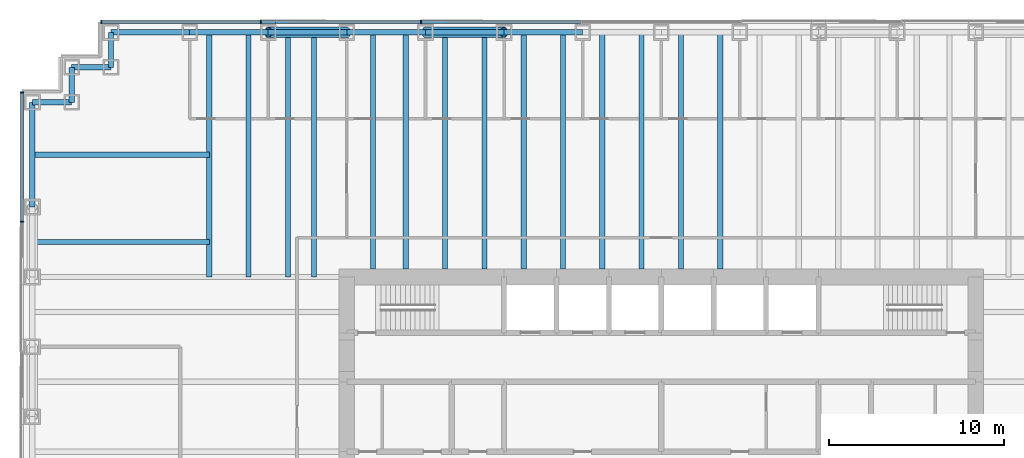
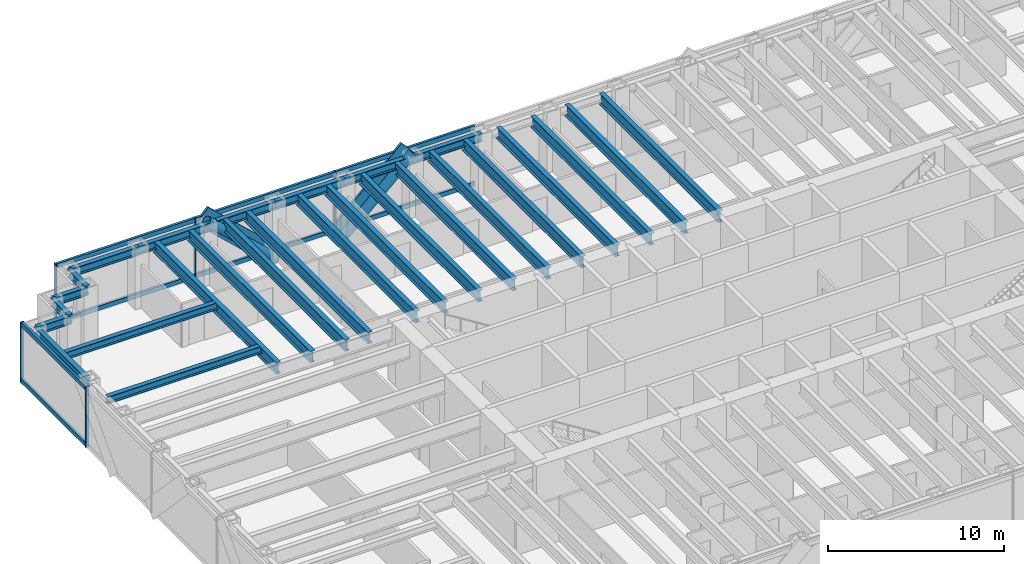
# One storey, part 6 of 16: 27 beams, 17 members, 2 elements without a shape of their own.
"""IFC4 building model written with IfcOpenShell, lengths in metres."""

from ifc_helpers import new_model, si_unit, direction, frame, origin, origin_2d, place, context, subcontext, project, spatial, rectangle, hollow_circle, i_section, extrude, material, material_profile, profile_set, type_object, element, aggregate, save


model = new_model("IFC4")

# Units and contexts
model_context = context("Model", 3, precision=1e-05, world=origin(), true_north=direction((0.0, 1.0)))
body_context = subcontext(model_context, "Body", "Model", "MODEL_VIEW")
ifc_project = project(units=[si_unit("LENGTHUNIT", "METRE"), si_unit("AREAUNIT", "SQUARE_METRE"), si_unit("VOLUMEUNIT", "CUBIC_METRE"), si_unit("PLANEANGLEUNIT", "RADIAN"), si_unit("MASSUNIT", "GRAM", prefix="KILO")], contexts=[model_context])

# Site, building, storey
site_placement = place(None, origin())
site = spatial("IfcSite", under=ifc_project, at=site_placement, CompositionType="ELEMENT")
building_placement = place(site_placement, origin())
building = spatial("IfcBuilding", under=site, at=building_placement, Name="Rheinbord Bourse Tower", CompositionType="ELEMENT")
storey_placement = place(building_placement, frame((0.0, 0.0, 171.89990234375)))
storey = spatial("IfcBuildingStorey", under=building, at=storey_placement, Name="L38", CompositionType="ELEMENT", Elevation=171.89990234375)

# Curtain wall, members
ifc_material_1 = material(Name="Dark glass and black aluminium", Category="aluminium")
curtain_wall_type = type_object("IfcCurtainWallType", Name="CW2 DARK GLASS CURTAIN WALL", PredefinedType="USERDEFINED", material=ifc_material_1)
curtain_wall_1_placement = place(storey_placement, origin())
curtain_wall_1 = element("IfcCurtainWall", 1, at=curtain_wall_1_placement, inside=storey, type_object=curtain_wall_type, Name="Curtain wall CW2 N L38", ObjectType="UNITISED CURTAIN WALL", PredefinedType="USERDEFINED")
ifc_material_2 = material(Name="Black anodised aluminium", Category="aluminium")
ifc_material_profile_1 = material_profile(ifc_material_2, rectangle(XDim=0.159912109375, YDim=1.2099609375, at=origin_2d()), Name="CW2 DIAGONAL MULLION 1210x160")
ifc_profile_set_1 = profile_set([ifc_material_profile_1], Name="Black anodised aluminium")
member_type_1 = type_object("IfcMemberType", Name="CW2 BLACK DIAGONAL MULLION", PredefinedType="USERDEFINED", material=ifc_profile_set_1)
member_1_placement = place(storey_placement, frame((18.0, 46.60009765625, 0.0), z_axis=(-0.731039441158, 0.0, 0.682335207557), x_axis=(0.0, -1.0, 0.0)))
member_1 = element("IfcMember", 2, at=member_1_placement, type_object=member_type_1, Name="CW2 diagonal mullion b", ObjectType="DIAGONAL MULLION", PredefinedType="USERDEFINED", context=body_context, shape_type="SweptSolid", body=[
    extrude(rectangle(XDim=0.159912109375, YDim=1.2099609375, at=origin_2d()), origin(), (0.0, 0.0, 1.0), 6.155517578125),
])
member_2_placement = place(storey_placement, frame((22.5, 46.60009765625, 0.0), z_axis=(0.731039441158, 0.0, 0.682335207557), x_axis=(0.0, 1.0, 0.0)))
member_2 = element("IfcMember", 3, at=member_2_placement, type_object=member_type_1, Name="CW2 diagonal mullion d", ObjectType="DIAGONAL MULLION", PredefinedType="USERDEFINED", context=body_context, shape_type="SweptSolid", body=[
    extrude(rectangle(XDim=0.159912109375, YDim=1.2099609375, at=origin_2d()), origin(), (0.0, 0.0, 1.0), 6.155517578125),
])
ifc_material_3 = material(Name="Black anodised aluminium", Category="aluminium")
ifc_material_profile_2 = material_profile(ifc_material_3, rectangle(XDim=0.219970703125, YDim=0.070068359375, at=origin_2d()), Name="CW2 MULLION 70x220")
ifc_profile_set_2 = profile_set([ifc_material_profile_2], Name="Black anodised aluminium")
member_type_2 = type_object("IfcMemberType", Name="CW2 BLACK MULLION", PredefinedType="MULLION", material=ifc_profile_set_2)
member_3_placement = place(storey_placement, frame((22.242919921875, 46.60009765625, 0.0), z_axis=(0.0, 0.0, 1.0), x_axis=(0.0, -1.0, 0.0)))
member_3 = element("IfcMember", 4, at=member_3_placement, type_object=member_type_2, Name="CW2 mullion 6", PredefinedType="MULLION", context=body_context, shape_type="SweptSolid", body=[
    extrude(rectangle(XDim=0.219970703125, YDim=0.070068359375, at=origin_2d()), origin(), (0.0, 0.0, 1.0), 4.2001953125),
])
member_4_placement = place(storey_placement, frame((13.071533203125, 46.60009765625, 0.0), z_axis=(0.0, 0.0, 1.0), x_axis=(0.0, -1.0, 0.0)))
member_4 = element("IfcMember", 5, at=member_4_placement, type_object=member_type_2, Name="CW2 mullion 7", PredefinedType="MULLION", context=body_context, shape_type="SweptSolid", body=[
    extrude(rectangle(XDim=0.219970703125, YDim=0.070068359375, at=origin_2d()), origin(), (0.0, 0.0, 1.0), 4.2001953125),
])
member_5_placement = place(storey_placement, frame((3.93505859375, 46.60009765625, 0.0), z_axis=(0.0, 0.0, 1.0), x_axis=(0.0, -1.0, 0.0)))
member_5 = element("IfcMember", 6, at=member_5_placement, type_object=member_type_2, Name="CW2 mullion 8", PredefinedType="MULLION", context=body_context, shape_type="SweptSolid", body=[
    extrude(rectangle(XDim=0.219970703125, YDim=0.070068359375, at=origin_2d()), origin(), (0.0, 0.0, 1.0), 4.2001953125),
])

curtain_wall_2_placement = place(storey_placement, origin())
curtain_wall_2 = element("IfcCurtainWall", 7, at=curtain_wall_2_placement, inside=storey, type_object=curtain_wall_type, Name="Curtain wall CW2 W L38", ObjectType="UNITISED CURTAIN WALL", PredefinedType="USERDEFINED")
member_6_placement = place(storey_placement, frame((-0.60009765625, 42.56494140625, 0.0), z_axis=(0.0, 0.0, 1.0), x_axis=(1.0, 0.0, 0.0)))
member_6 = element("IfcMember", 8, at=member_6_placement, type_object=member_type_2, Name="CW2 mullion 1", PredefinedType="MULLION", context=body_context, shape_type="SweptSolid", body=[
    extrude(rectangle(XDim=0.219970703125, YDim=0.070068359375, at=origin_2d()), origin(), (0.0, 0.0, 1.0), 4.2001953125),
])
member_7_placement = place(storey_placement, frame((-0.60009765625, 35.159912109375, 0.0), z_axis=(0.0, 0.0, 1.0), x_axis=(1.0, 0.0, 0.0)))
member_7 = element("IfcMember", 9, at=member_7_placement, type_object=member_type_2, Name="CW2 mullion 2", PredefinedType="MULLION", context=body_context, shape_type="SweptSolid", body=[
    extrude(rectangle(XDim=0.219970703125, YDim=0.070068359375, at=origin_2d()), origin(), (0.0, 0.0, 1.0), 4.2001953125),
])

# Member
ifc_material_4 = material(Name="Black anodised aluminium", Category="aluminium")
ifc_material_profile_3 = material_profile(ifc_material_4, rectangle(XDim=0.159912109375, YDim=0.300048828125, at=origin_2d()), Name="CW2 TRANSOM 300x160")
ifc_profile_set_3 = profile_set([ifc_material_profile_3], Name="Black anodised aluminium")
member_type_3 = type_object("IfcMemberType", Name="CW2 BLACK TRANSOM", PredefinedType="USERDEFINED", material=ifc_profile_set_3)
member_8_placement = place(storey_placement, frame((31.37939453125, 46.60009765625, 0.150146484375), z_axis=(-1.0, 0.0, 0.0), x_axis=(0.0, -1.0, 0.0)))
member_8 = element("IfcMember", 10, at=member_8_placement, type_object=member_type_3, Name="CW2 transom 5.1", ObjectType="TRANSOM", PredefinedType="USERDEFINED", context=body_context, shape_type="SweptSolid", body=[
    extrude(rectangle(XDim=0.159912109375, YDim=0.300048828125, at=origin_2d()), origin(), (0.0, 0.0, 1.0), 9.1015625),
])

member_9_placement = place(storey_placement, frame((31.37939453125, 46.60009765625, 4.050048828125), z_axis=(-1.0, 0.0, 0.0), x_axis=(0.0, -1.0, 0.0)))
member_9 = element("IfcMember", 11, at=member_9_placement, type_object=member_type_3, Name="CW2 transom 5.2", ObjectType="TRANSOM", PredefinedType="USERDEFINED", context=body_context, shape_type="SweptSolid", body=[
    extrude(rectangle(XDim=0.159912109375, YDim=0.300048828125, at=origin_2d()), origin(), (0.0, 0.0, 1.0), 9.1015625),
])

member_10_placement = place(storey_placement, frame((22.207763671875, 46.60009765625, 0.150146484375), z_axis=(-1.0, 0.0, 0.0), x_axis=(0.0, -1.0, 0.0)))
member_10 = element("IfcMember", 12, at=member_10_placement, type_object=member_type_3, Name="CW2 transom 6.1", ObjectType="TRANSOM", PredefinedType="USERDEFINED", context=body_context, shape_type="SweptSolid", body=[
    extrude(rectangle(XDim=0.159912109375, YDim=0.300048828125, at=origin_2d()), origin(), (0.0, 0.0, 1.0), 9.101318359375),
])

member_11_placement = place(storey_placement, frame((22.207763671875, 46.60009765625, 4.050048828125), z_axis=(-1.0, 0.0, 0.0), x_axis=(0.0, -1.0, 0.0)))
member_11 = element("IfcMember", 13, at=member_11_placement, type_object=member_type_3, Name="CW2 transom 6.2", ObjectType="TRANSOM", PredefinedType="USERDEFINED", context=body_context, shape_type="SweptSolid", body=[
    extrude(rectangle(XDim=0.159912109375, YDim=0.300048828125, at=origin_2d()), origin(), (0.0, 0.0, 1.0), 9.101318359375),
])

member_12_placement = place(storey_placement, frame((13.036376953125, 46.60009765625, 0.150146484375), z_axis=(-1.0, 0.0, 0.0), x_axis=(0.0, -1.0, 0.0)))
member_12 = element("IfcMember", 14, at=member_12_placement, type_object=member_type_3, Name="CW2 transom 7.1", ObjectType="TRANSOM", PredefinedType="USERDEFINED", context=body_context, shape_type="SweptSolid", body=[
    extrude(rectangle(XDim=0.159912109375, YDim=0.300048828125, at=origin_2d()), origin(), (0.0, 0.0, 1.0), 9.06640625),
])

member_13_placement = place(storey_placement, frame((13.036376953125, 46.60009765625, 4.050048828125), z_axis=(-1.0, 0.0, 0.0), x_axis=(0.0, -1.0, 0.0)))
member_13 = element("IfcMember", 15, at=member_13_placement, type_object=member_type_3, Name="CW2 transom 7.2", ObjectType="TRANSOM", PredefinedType="USERDEFINED", context=body_context, shape_type="SweptSolid", body=[
    extrude(rectangle(XDim=0.159912109375, YDim=0.300048828125, at=origin_2d()), origin(), (0.0, 0.0, 1.0), 9.06640625),
])

aggregate(curtain_wall_1, [member_3, member_4, member_5, member_8, member_9, member_10, member_11, member_12, member_13, member_1, member_2])

member_14_placement = place(storey_placement, frame((-0.60009765625, 42.530029296875, 0.150146484375), z_axis=(0.0, -1.0, 0.0), x_axis=(1.0, 0.0, 0.0)))
member_14 = element("IfcMember", 16, at=member_14_placement, type_object=member_type_3, Name="CW2 transom 1.1", ObjectType="TRANSOM", PredefinedType="USERDEFINED", context=body_context, shape_type="SweptSolid", body=[
    extrude(rectangle(XDim=0.159912109375, YDim=0.300048828125, at=origin_2d()), origin(), (0.0, 0.0, 1.0), 7.3349609375),
])

member_15_placement = place(storey_placement, frame((-0.60009765625, 42.530029296875, 4.050048828125), z_axis=(0.0, -1.0, 0.0), x_axis=(1.0, 0.0, 0.0)))
member_15 = element("IfcMember", 17, at=member_15_placement, type_object=member_type_3, Name="CW2 transom 1.2", ObjectType="TRANSOM", PredefinedType="USERDEFINED", context=body_context, shape_type="SweptSolid", body=[
    extrude(rectangle(XDim=0.159912109375, YDim=0.300048828125, at=origin_2d()), origin(), (0.0, 0.0, 1.0), 7.3349609375),
])

aggregate(curtain_wall_2, [member_6, member_7, member_14, member_15])

# Beams
ifc_material_5 = material(Name="Steel S460", Category="steel")
ifc_material_profile_4 = material_profile(ifc_material_5, i_section(OverallWidth=0.300048828125, OverallDepth=0.800048828125, WebThickness=0.017578125, FlangeThickness=0.032958984375, at=origin_2d()), Name="HEB 800")
ifc_profile_set_4 = profile_set([ifc_material_profile_4], Name="Steel S460")
beam_type_1 = type_object("IfcBeamType", Name="FLOOR BEAM HEB 800", PredefinedType="BEAM", material=ifc_profile_set_4)
for number, where, z_axis, x_axis, name in (
    (18, (10.125, 46.0, 3.64013671875), (0.0, -1.0, 0.0), (1.0, 0.0, 0.0), "Floor beam N-9a L39"),
    (19, (12.375, 46.0, 3.64013671875), (0.0, -1.0, 0.0), (1.0, 0.0, 0.0), "Floor beam N-9b L39"),
    (20, (14.625, 46.0, 3.64013671875), (0.0, -1.0, 0.0), (1.0, 0.0, 0.0), "Floor beam N-13.5a L39"),
    (21, (16.125, 46.0, 3.64013671875), (0.0, -1.0, 0.0), (1.0, 0.0, 0.0), "Floor beam N-13.5b L39"),
):
    element("IfcBeam", number, at=place(storey_placement, frame(where, z_axis=z_axis, x_axis=x_axis)), inside=storey, type_object=beam_type_1, Name=name, PredefinedType="BEAM", context=body_context, shape_type="SweptSolid", body=[
        extrude(i_section(OverallWidth=0.300048828125, OverallDepth=0.800048828125, WebThickness=0.017578125, FlangeThickness=0.032958984375, at=origin_2d()), origin(), (0.0, 0.0, 1.0), 14.0),
    ])
for number, where, z_axis, x_axis, name in (
    (22, (19.5, 46.0, 3.64013671875), (0.0, -1.0, 0.0), (1.0, 0.0, 0.0), "Floor beam N-18a L39"),
    (23, (21.375, 46.0, 3.64013671875), (0.0, -1.0, 0.0), (1.0, 0.0, 0.0), "Floor beam N-18b L39"),
    (24, (23.625, 46.0, 3.64013671875), (0.0, -1.0, 0.0), (1.0, 0.0, 0.0), "Floor beam N-22.5a L39"),
    (25, (25.875, 46.0, 3.64013671875), (0.0, -1.0, 0.0), (1.0, 0.0, 0.0), "Floor beam N-22.5b L39"),
    (26, (28.125, 46.0, 3.64013671875), (0.0, -1.0, 0.0), (1.0, 0.0, 0.0), "Floor beam N-27a L39"),
    (27, (30.375, 46.0, 3.64013671875), (0.0, -1.0, 0.0), (1.0, 0.0, 0.0), "Floor beam N-27b L39"),
    (28, (32.625, 46.0, 3.64013671875), (0.0, -1.0, 0.0), (1.0, 0.0, 0.0), "Floor beam N-31.5a L39"),
    (29, (34.875, 46.0, 3.64013671875), (0.0, -1.0, 0.0), (1.0, 0.0, 0.0), "Floor beam N-31.5b L39"),
    (30, (37.125, 46.0, 3.64013671875), (0.0, -1.0, 0.0), (1.0, 0.0, 0.0), "Floor beam N-36a L39"),
    (31, (39.375, 46.0, 3.64013671875), (0.0, -1.0, 0.0), (1.0, 0.0, 0.0), "Floor beam N-36b L39"),
):
    element("IfcBeam", number, at=place(storey_placement, frame(where, z_axis=z_axis, x_axis=x_axis)), inside=storey, type_object=beam_type_1, Name=name, PredefinedType="BEAM", context=body_context, shape_type="SweptSolid", body=[
        extrude(i_section(OverallWidth=0.300048828125, OverallDepth=0.800048828125, WebThickness=0.017578125, FlangeThickness=0.032958984375, at=origin_2d()), origin(), (0.0, 0.0, 1.0), 13.550048828125),
    ])

# Members
ifc_material_6 = material(Name="Steel S460", Category="steel")
ifc_material_profile_5 = material_profile(ifc_material_6, hollow_circle(Radius=0.304931640625, WallThickness=0.0400390625, at=origin_2d()), Name="CHS 610x40")
ifc_profile_set_5 = profile_set([ifc_material_profile_5], Name="Steel S460")
member_type_4 = type_object("IfcMemberType", Name="MEGABRACE CHS 610x40", PredefinedType="BRACE", material=ifc_profile_set_5)
for number, where, z_axis, x_axis, name in (
    (32, (18.0, 46.0, 0.0), (-0.731039441158, 0.0, 0.682335207557), (0.0, -1.0, 0.0), "Megabrace N face line b L38"),
    (33, (22.5, 46.0, 0.0), (0.731039441158, 0.0, 0.682335207557), (0.0, 1.0, 0.0), "Megabrace N face line d L38"),
):
    element("IfcMember", number, at=place(storey_placement, frame(where, z_axis=z_axis, x_axis=x_axis)), inside=storey, type_object=member_type_4, Name=name, PredefinedType="BRACE", context=body_context, shape_type="SweptSolid", body=[
        extrude(hollow_circle(Radius=0.304931640625, WallThickness=0.0400390625, at=origin_2d()), origin(), (0.0, 0.0, 1.0), 6.155517578125),
    ])

# Beams
ifc_material_7 = material(Name="Steel S460", Category="steel")
ifc_material_profile_6 = material_profile(ifc_material_7, i_section(OverallWidth=0.305908203125, OverallDepth=0.572021484375, WebThickness=0.02099609375, FlangeThickness=0.0400390625, at=origin_2d()), Name="HEM 550")
ifc_profile_set_6 = profile_set([ifc_material_profile_6], Name="Steel S460")
beam_type_2 = type_object("IfcBeamType", Name="SPANDREL HEM 550", PredefinedType="SPANDREL", material=ifc_profile_set_6)
for number, where, z_axis, x_axis, name in (
    (34, (31.5, 46.0, 3.754150390625), (-1.0, 0.0, 0.0), (0.0, -1.0, 0.0), "Spandrel N-31.5-N-27 under L39"),
    (35, (27.0, 46.0, 3.754150390625), (-1.0, 0.0, 0.0), (0.0, -1.0, 0.0), "Spandrel N-27-N-22.5 under L39"),
    (36, (22.5, 46.0, 3.754150390625), (-1.0, 0.0, 0.0), (0.0, -1.0, 0.0), "Spandrel N-22.5-N-18 under L39"),
    (37, (18.0, 46.0, 3.754150390625), (-1.0, 0.0, 0.0), (0.0, -1.0, 0.0), "Spandrel N-18-N-13.5 under L39"),
    (38, (13.5, 46.0, 3.754150390625), (-1.0, 0.0, 0.0), (0.0, -1.0, 0.0), "Spandrel N-13.5-N-9 under L39"),
    (39, (9.0, 46.0, 3.754150390625), (-1.0, 0.0, 0.0), (0.0, -1.0, 0.0), "Spandrel N-9-NW-E under L39"),
):
    element("IfcBeam", number, at=place(storey_placement, frame(where, z_axis=z_axis, x_axis=x_axis)), inside=storey, type_object=beam_type_2, Name=name, PredefinedType="SPANDREL", context=body_context, shape_type="SweptSolid", body=[
        extrude(i_section(OverallWidth=0.305908203125, OverallDepth=0.572021484375, WebThickness=0.02099609375, FlangeThickness=0.0400390625, at=origin_2d()), origin(), (0.0, 0.0, 1.0), 4.5),
    ])
beam_1_placement = place(storey_placement, frame((4.5, 46.0, 3.754150390625), z_axis=(0.0, -1.0, 0.0), x_axis=(1.0, 0.0, 0.0)))
element("IfcBeam", 40, at=beam_1_placement, inside=storey, type_object=beam_type_2, Name="Spandrel NW-E-NW-D under L39", PredefinedType="SPANDREL", context=body_context, shape_type="SweptSolid", body=[
    extrude(i_section(OverallWidth=0.305908203125, OverallDepth=0.572021484375, WebThickness=0.02099609375, FlangeThickness=0.0400390625, at=origin_2d()), origin(), (0.0, 0.0, 1.0), 2.0),
])
beam_2_placement = place(storey_placement, frame((4.5, 44.0, 3.754150390625), z_axis=(-1.0, 0.0, 0.0), x_axis=(0.0, -1.0, 0.0)))
element("IfcBeam", 41, at=beam_2_placement, inside=storey, type_object=beam_type_2, Name="Spandrel NW-D-NW-C under L39", PredefinedType="SPANDREL", context=body_context, shape_type="SweptSolid", body=[
    extrude(i_section(OverallWidth=0.305908203125, OverallDepth=0.572021484375, WebThickness=0.02099609375, FlangeThickness=0.0400390625, at=origin_2d()), origin(), (0.0, 0.0, 1.0), 2.25),
])
beam_3_placement = place(storey_placement, frame((2.25, 44.0, 3.754150390625), z_axis=(0.0, -1.0, 0.0), x_axis=(1.0, 0.0, 0.0)))
element("IfcBeam", 42, at=beam_3_placement, inside=storey, type_object=beam_type_2, Name="Spandrel NW-C-NW-B under L39", PredefinedType="SPANDREL", context=body_context, shape_type="SweptSolid", body=[
    extrude(i_section(OverallWidth=0.305908203125, OverallDepth=0.572021484375, WebThickness=0.02099609375, FlangeThickness=0.0400390625, at=origin_2d()), origin(), (0.0, 0.0, 1.0), 2.0),
])
beam_4_placement = place(storey_placement, frame((2.25, 42.0, 3.754150390625), z_axis=(-1.0, 0.0, 0.0), x_axis=(0.0, -1.0, 0.0)))
element("IfcBeam", 43, at=beam_4_placement, inside=storey, type_object=beam_type_2, Name="Spandrel NW-B-NW-A under L39", PredefinedType="SPANDREL", context=body_context, shape_type="SweptSolid", body=[
    extrude(i_section(OverallWidth=0.305908203125, OverallDepth=0.572021484375, WebThickness=0.02099609375, FlangeThickness=0.0400390625, at=origin_2d()), origin(), (0.0, 0.0, 1.0), 2.25),
])
beam_5_placement = place(storey_placement, frame((0.0, 42.0, 3.754150390625), z_axis=(0.0, -1.0, 0.0), x_axis=(1.0, 0.0, 0.0)))
element("IfcBeam", 44, at=beam_5_placement, inside=storey, type_object=beam_type_2, Name="Spandrel NW-A-W-36 under L39", PredefinedType="SPANDREL", context=body_context, shape_type="SweptSolid", body=[
    extrude(i_section(OverallWidth=0.305908203125, OverallDepth=0.572021484375, WebThickness=0.02099609375, FlangeThickness=0.0400390625, at=origin_2d()), origin(), (0.0, 0.0, 1.0), 6.0),
])
ifc_material_8 = material(Name="Steel S460", Category="steel")
ifc_material_profile_7 = material_profile(ifc_material_8, i_section(OverallWidth=0.300048828125, OverallDepth=0.5, WebThickness=0.014404296875, FlangeThickness=0.028076171875, at=origin_2d()), Name="HEB 500")
ifc_profile_set_7 = profile_set([ifc_material_profile_7], Name="Steel S460")
beam_type_3 = type_object("IfcBeamType", Name="TIE BEAM HEB 500", PredefinedType="JOIST", material=ifc_profile_set_7)
for number, where, z_axis, x_axis, name in (
    (45, (0.0, 34.0, 3.7900390625), (1.0, 0.0, 0.0), (0.0, 1.0, 0.0), "Tie west 34 L39"),
    (46, (0.0, 39.0, 3.7900390625), (1.0, 0.0, 0.0), (0.0, 1.0, 0.0), "Tie west 39 L39"),
):
    element("IfcBeam", number, at=place(storey_placement, frame(where, z_axis=z_axis, x_axis=x_axis)), inside=storey, type_object=beam_type_3, Name=name, PredefinedType="JOIST", context=body_context, shape_type="SweptSolid", body=[
        extrude(i_section(OverallWidth=0.300048828125, OverallDepth=0.5, WebThickness=0.014404296875, FlangeThickness=0.028076171875, at=origin_2d()), origin(), (0.0, 0.0, 1.0), 10.125),
    ])

save(model, "model.ifc")
